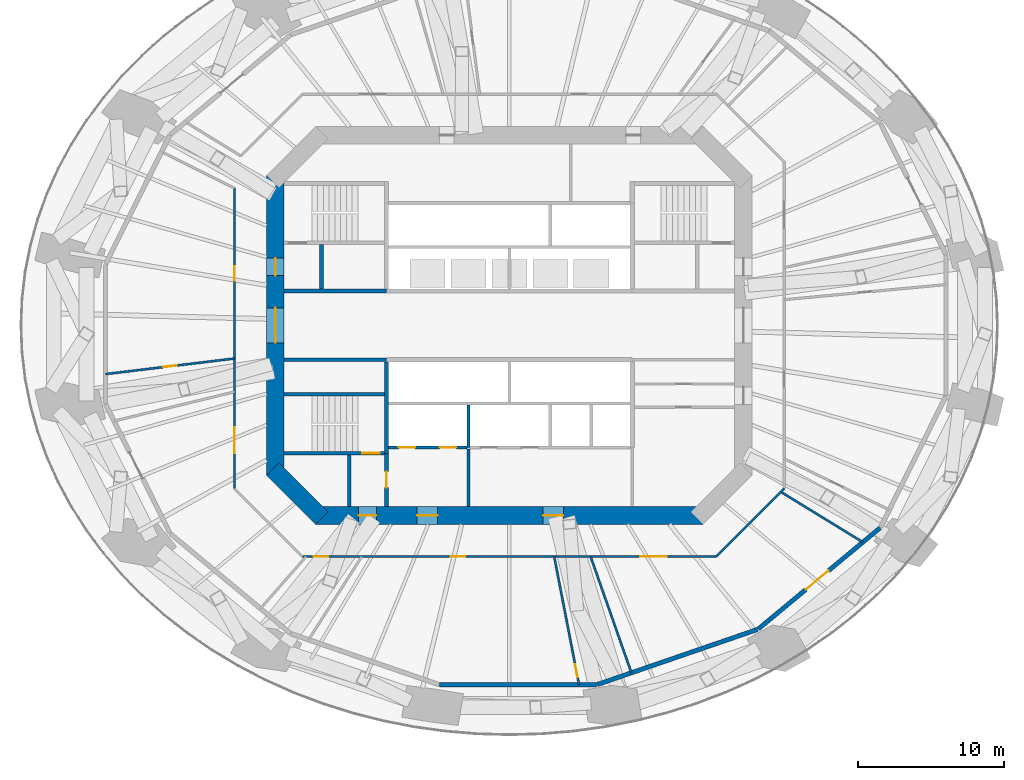
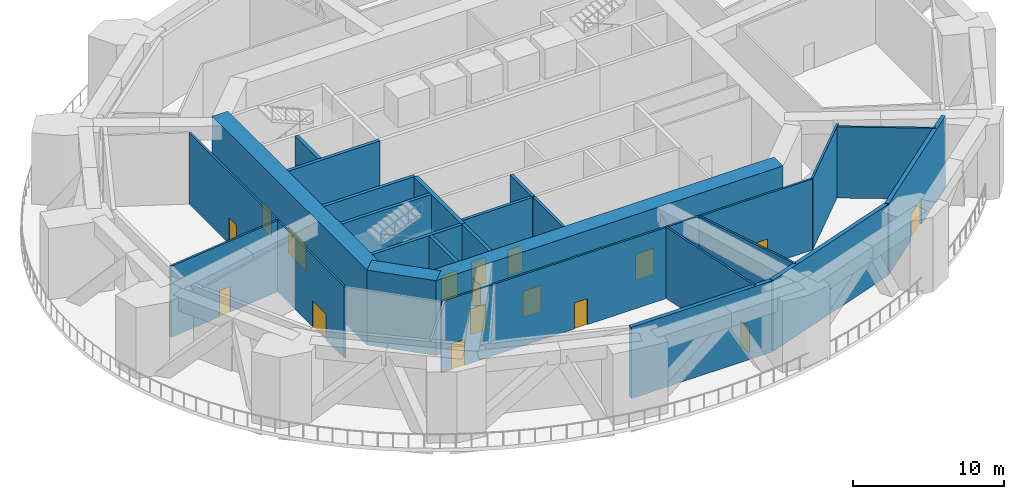
# One storey, part 5 of 12: 24 walls, 17 doors, 17 openings.
"""IFC4 building model written with IfcOpenShell, lengths in metres."""

from ifc_helpers import new_model, si_unit, direction, frame, frame_2d, origin, place, context, subcontext, project, spatial, rectangle, extrude, material, layer, layer_set, type_object, element, fill, save


model = new_model("IFC4")

# Units and contexts
model_context = context("Model", 3, precision=1e-05, world=origin(), true_north=direction((0.0, 1.0)))
body_context = subcontext(model_context, "Body", "Model", "MODEL_VIEW")
ifc_project = project(units=[si_unit("LENGTHUNIT", "METRE"), si_unit("AREAUNIT", "SQUARE_METRE"), si_unit("VOLUMEUNIT", "CUBIC_METRE"), si_unit("PLANEANGLEUNIT", "RADIAN"), si_unit("MASSUNIT", "GRAM", prefix="KILO")], contexts=[model_context])

# Site, building, storey
site_placement = place(None, origin())
site = spatial("IfcSite", under=ifc_project, at=site_placement, CompositionType="ELEMENT")
building_placement = place(site_placement, origin())
building = spatial("IfcBuilding", under=site, at=building_placement, Name="Marenthal Gate Tower", CompositionType="ELEMENT")
storey_placement = place(building_placement, frame((0.0, 0.0, 149.64990234375)))
storey = spatial("IfcBuildingStorey", under=building, at=storey_placement, Name="L32", CompositionType="ELEMENT", Elevation=149.64990234375)

# Wall, openings, doors
ifc_material_1 = material(Name="Concrete 60 MPa", Category="concrete")
ifc_layer_1 = layer(ifc_material_1, 1.199951171875)
ifc_layer_set_1 = layer_set([ifc_layer_1], Name="Core shear wall 1200")
wall_type_1 = type_object("IfcWallType", Name="Core shear wall 1200", PredefinedType="SHEAR", material=ifc_layer_set_1)
wall_1_placement = place(storey_placement, frame((-16.0, 10.24853515625, -0.2998046875), z_axis=(0.0, 0.0, 1.0), x_axis=(0.0, -1.0, 0.0)))
wall_1 = element("IfcWall", 1, at=wall_1_placement, inside=storey, type_object=wall_type_1, Name="Core wall 06", PredefinedType="SHEAR", context=body_context, shape_type="SweptSolid", body=[
    extrude(rectangle(XDim=20.4970703125, YDim=1.199951171875, at=frame_2d((10.24853515625, 0.0))), origin(), (0.0, 0.0, 1.0), 6.0498046875),
])
opening_1_placement = place(wall_1_placement, frame((9.048583984375, 0.0, 0.300048828125)))
opening_1 = element("IfcOpeningElement", 2, at=opening_1_placement, cuts=wall_1, Name="Opening D003.01", PredefinedType="OPENING", context=body_context, shape_type="SweptSolid", body=[
    extrude(rectangle(XDim=2.39990234375, YDim=2.10009765625, at=frame_2d((1.199951171875, 1.050048828125))), frame((0.0, 0.60986328125, 0.0), z_axis=(0.0, -1.0, 0.0), x_axis=(1.0, 0.0, 0.0)), (0.0, 0.0, 1.0), 1.219970703125),
])
opening_2_placement = place(wall_1_placement, frame((5.6484375, 0.0, 0.300048828125)))
opening_2 = element("IfcOpeningElement", 3, at=opening_2_placement, cuts=wall_1, Name="Opening D001.04", PredefinedType="OPENING", context=body_context, shape_type="SweptSolid", body=[
    extrude(rectangle(XDim=1.199951171875, YDim=2.10009765625, at=frame_2d((0.60009765625, 1.050048828125))), frame((0.0, 0.60986328125, 0.0), z_axis=(0.0, -1.0, 0.0), x_axis=(1.0, 0.0, 0.0)), (0.0, 0.0, 1.0), 1.219970703125),
])
ifc_material_2 = material(Name="Steel fire door", Category="steel")
door_type_1 = type_object("IfcDoorType", Name="Double fire door FD 45 2400 x 2100", OperationType="DOUBLE_DOOR_SINGLE_SWING", PredefinedType="DOOR", material=ifc_material_2)
door_1_placement = place(opening_1_placement, origin())
door_1 = element("IfcDoor", 4, at=door_1_placement, inside=storey, type_object=door_type_1, Name="Door D003.01", OperationType="DOUBLE_DOOR_SINGLE_SWING", OverallHeight=2.10009765625, OverallWidth=2.39990234375, PredefinedType="DOOR", context=body_context, shape_type="SweptSolid", body=[
    extrude(rectangle(XDim=2.39990234375, YDim=2.10009765625, at=frame_2d((1.199951171875, 1.050048828125))), frame((0.0, 0.02490234375, 0.0), z_axis=(0.0, -1.0, 0.0), x_axis=(1.0, 0.0, 0.0)), (0.0, 0.0, 1.0), 0.050048828125),
])
fill(opening_1, door_1)
ifc_material_3 = material(Name="Steel fire door", Category="steel")
door_type_2 = type_object("IfcDoorType", Name="Fire door FD 90 1200 x 2100", OperationType="NOTDEFINED", PredefinedType="DOOR", material=ifc_material_3)
door_2_placement = place(opening_2_placement, origin())
door_2 = element("IfcDoor", 5, at=door_2_placement, inside=storey, type_object=door_type_2, Name="Door D001.04", OperationType="SINGLE_SWING_RIGHT", OverallHeight=2.10009765625, OverallWidth=1.199951171875, PredefinedType="DOOR", context=body_context, shape_type="SweptSolid", body=[
    extrude(rectangle(XDim=1.199951171875, YDim=2.10009765625, at=frame_2d((0.60009765625, 1.050048828125))), frame((0.0, 0.02490234375, 0.0), z_axis=(0.0, -1.0, 0.0), x_axis=(1.0, 0.0, 0.0)), (0.0, 0.0, 1.0), 0.050048828125),
])
fill(opening_2, door_2)

# Wall
wall_2_placement = place(storey_placement, frame((-16.17578125, -9.82421875, -0.2998046875), z_axis=(0.0, 0.0, 1.0), x_axis=(0.707106781187, -0.707106781187, 0.0)))
element("IfcWall", 6, at=wall_2_placement, inside=storey, type_object=wall_type_1, Name="Core wall 07", PredefinedType="SHEAR", context=body_context, shape_type="SweptSolid", body=[
    extrude(rectangle(XDim=4.73974609375, YDim=1.199951171875, at=frame_2d((2.369873046875, 0.0))), origin(), (0.0, 0.0, 1.0), 6.0498046875),
])

# Wall, openings, doors
wall_3_placement = place(storey_placement, frame((-13.24853515625, -13.0, -0.2998046875), z_axis=(0.0, 0.0, 1.0), x_axis=(1.0, 0.0, 0.0)))
wall_3 = element("IfcWall", 7, at=wall_3_placement, inside=storey, type_object=wall_type_1, Name="Core wall 08", PredefinedType="SHEAR", context=body_context, shape_type="SweptSolid", body=[
    extrude(rectangle(XDim=26.4970703125, YDim=1.199951171875, at=frame_2d((13.24853515625, 0.0))), origin(), (0.0, 0.0, 1.0), 6.0498046875),
])
opening_3_placement = place(wall_3_placement, frame((2.948486328125, 0.0, 0.300048828125)))
opening_3 = element("IfcOpeningElement", 8, at=opening_3_placement, cuts=wall_3, Name="Opening D001.06", PredefinedType="OPENING", context=body_context, shape_type="SweptSolid", body=[
    extrude(rectangle(XDim=1.199951171875, YDim=2.10009765625, at=frame_2d((0.60009765625, 1.050048828125))), frame((0.0, 0.60986328125, 0.0), z_axis=(0.0, -1.0, 0.0), x_axis=(1.0, 0.0, 0.0)), (0.0, 0.0, 1.0), 1.219970703125),
])
opening_4_placement = place(wall_3_placement, frame((6.948486328125, 0.0, 0.300048828125)))
opening_4 = element("IfcOpeningElement", 9, at=opening_4_placement, cuts=wall_3, Name="Opening D004.01", PredefinedType="OPENING", context=body_context, shape_type="SweptSolid", body=[
    extrude(rectangle(XDim=1.39990234375, YDim=2.10009765625, at=frame_2d((0.699951171875, 1.050048828125))), frame((0.0, 0.60986328125, 0.0), z_axis=(0.0, -1.0, 0.0), x_axis=(1.0, 0.0, 0.0)), (0.0, 0.0, 1.0), 1.219970703125),
])
opening_5_placement = place(wall_3_placement, frame((15.548583984375, 0.0, 0.300048828125)))
opening_5 = element("IfcOpeningElement", 10, at=opening_5_placement, cuts=wall_3, Name="Opening D004.02", PredefinedType="OPENING", context=body_context, shape_type="SweptSolid", body=[
    extrude(rectangle(XDim=1.39990234375, YDim=2.10009765625, at=frame_2d((0.699951171875, 1.050048828125))), frame((0.0, 0.60986328125, 0.0), z_axis=(0.0, -1.0, 0.0), x_axis=(1.0, 0.0, 0.0)), (0.0, 0.0, 1.0), 1.219970703125),
])
ifc_material_4 = material(Name="Steel fire door", Category="steel")
door_type_3 = type_object("IfcDoorType", Name="Fire door FD 45 1400 x 2100", OperationType="NOTDEFINED", PredefinedType="DOOR", material=ifc_material_4)
door_3_placement = place(opening_4_placement, origin())
door_3 = element("IfcDoor", 11, at=door_3_placement, inside=storey, type_object=door_type_3, Name="Door D004.01", OperationType="SINGLE_SWING_RIGHT", OverallHeight=2.10009765625, OverallWidth=1.39990234375, PredefinedType="DOOR", context=body_context, shape_type="SweptSolid", body=[
    extrude(rectangle(XDim=1.39990234375, YDim=2.10009765625, at=frame_2d((0.699951171875, 1.050048828125))), frame((0.0, 0.02490234375, 0.0), z_axis=(0.0, -1.0, 0.0), x_axis=(1.0, 0.0, 0.0)), (0.0, 0.0, 1.0), 0.050048828125),
])
fill(opening_4, door_3)
door_4_placement = place(opening_5_placement, origin())
door_4 = element("IfcDoor", 12, at=door_4_placement, inside=storey, type_object=door_type_3, Name="Door D004.02", OperationType="SINGLE_SWING_RIGHT", OverallHeight=2.10009765625, OverallWidth=1.39990234375, PredefinedType="DOOR", context=body_context, shape_type="SweptSolid", body=[
    extrude(rectangle(XDim=1.39990234375, YDim=2.10009765625, at=frame_2d((0.699951171875, 1.050048828125))), frame((0.0, 0.02490234375, 0.0), z_axis=(0.0, -1.0, 0.0), x_axis=(1.0, 0.0, 0.0)), (0.0, 0.0, 1.0), 0.050048828125),
])
fill(opening_5, door_4)
door_5_placement = place(opening_3_placement, origin())
door_5 = element("IfcDoor", 13, at=door_5_placement, inside=storey, type_object=door_type_2, Name="Door D001.06", OperationType="SINGLE_SWING_RIGHT", OverallHeight=2.10009765625, OverallWidth=1.199951171875, PredefinedType="DOOR", context=body_context, shape_type="SweptSolid", body=[
    extrude(rectangle(XDim=1.199951171875, YDim=2.10009765625, at=frame_2d((0.60009765625, 1.050048828125))), frame((0.0, 0.02490234375, 0.0), z_axis=(0.0, -1.0, 0.0), x_axis=(1.0, 0.0, 0.0)), (0.0, 0.0, 1.0), 0.050048828125),
])
fill(opening_3, door_5)

# Walls
ifc_material_5 = material(Name="Concrete 40 MPa", Category="concrete")
ifc_layer_2 = layer(ifc_material_5, 0.300048828125)
ifc_layer_set_2 = layer_set([ifc_layer_2], Name="External wall 300")
wall_type_2 = type_object("IfcWallType", Name="External wall 300", PredefinedType="STANDARD", material=ifc_layer_set_2)
wall_4_placement = place(storey_placement, frame((-4.77099609375, -24.5703125, 0.0), z_axis=(0.0, 0.0, 1.0), x_axis=(1.0, 0.0, 0.0)))
element("IfcWall", 14, at=wall_4_placement, inside=storey, type_object=wall_type_2, Name="External wall 47", PredefinedType="STANDARD", context=body_context, shape_type="SweptSolid", body=[
    extrude(rectangle(XDim=10.72509765625, YDim=0.300048828125, at=frame_2d((5.362548828125, 0.0))), origin(), (0.0, 0.0, 1.0), 5.75),
])
wall_5_placement = place(storey_placement, frame((6.0029296875, -24.56201171875, 0.0), z_axis=(0.0, 0.0, 1.0), x_axis=(0.945615608721, 0.325286213269, 0.0)))
element("IfcWall", 15, at=wall_5_placement, inside=storey, type_object=wall_type_2, Name="External wall 49", PredefinedType="STANDARD", context=body_context, shape_type="SweptSolid", body=[
    extrude(rectangle(XDim=11.600341796875, YDim=0.300048828125, at=frame_2d((5.80029296875, 0.0))), origin(), (0.0, 0.0, 1.0), 5.75),
])

# Wall, opening, door
wall_6_placement = place(storey_placement, frame((17.019287109375, -20.76220703125, 0.0), z_axis=(0.0, 0.0, 1.0), x_axis=(0.769320538935, 0.638862980906, 0.0)))
wall_6 = element("IfcWall", 16, at=wall_6_placement, inside=storey, type_object=wall_type_2, Name="External wall 51", PredefinedType="STANDARD", context=body_context, shape_type="SweptSolid", body=[
    extrude(rectangle(XDim=10.820556640625, YDim=0.300048828125, at=frame_2d((5.41015625, 0.0))), origin(), (0.0, 0.0, 1.0), 5.75),
])
opening_6_placement = place(wall_6_placement, frame((4.232666015625, 0.0, 0.0)))
opening_6 = element("IfcOpeningElement", 17, at=opening_6_placement, cuts=wall_6, Name="Opening D018.04", PredefinedType="OPENING", context=body_context, shape_type="SweptSolid", body=[
    extrude(rectangle(XDim=2.0, YDim=2.10009765625, at=frame_2d((1.0, 1.050048828125))), frame((0.0, 0.16015625, 0.0), z_axis=(0.0, -1.0, 0.0), x_axis=(1.0, 0.0, 0.0)), (0.0, 0.0, 1.0), 0.320068359375),
])
ifc_material_6 = material(Name="Steel fire door", Category="steel")
door_type_4 = type_object("IfcDoorType", Name="Double fire door FD 45 2000 x 2100", OperationType="DOUBLE_DOOR_SINGLE_SWING", PredefinedType="DOOR", material=ifc_material_6)
door_6_placement = place(opening_6_placement, frame((2.0, 0.0, 0.0), z_axis=(0.0, 0.0, 1.0), x_axis=(-1.0, 0.0, 0.0)))
door_6 = element("IfcDoor", 18, at=door_6_placement, inside=storey, type_object=door_type_4, Name="Door D018.04", OperationType="DOUBLE_DOOR_SINGLE_SWING", OverallHeight=2.10009765625, OverallWidth=2.0, PredefinedType="DOOR", context=body_context, shape_type="SweptSolid", body=[
    extrude(rectangle(XDim=2.0, YDim=2.10009765625, at=frame_2d((1.0, 1.050048828125))), frame((0.0, 0.02490234375, 0.0), z_axis=(0.0, -1.0, 0.0), x_axis=(1.0, 0.0, 0.0)), (0.0, 0.0, 1.0), 0.050048828125),
])
fill(opening_6, door_6)

# Walls
ifc_material_7 = material(Name="Gypsum board on steel studs", Category="steel")
ifc_layer_3 = layer(ifc_material_7, 0.199951171875)
ifc_layer_set_3 = layer_set([ifc_layer_3], Name="Fire lobby wall 200")
wall_type_3 = type_object("IfcWallType", Name="Fire lobby wall 200", PredefinedType="PARTITIONING", material=ifc_layer_set_3)
wall_7_placement = place(storey_placement, frame((-2.800048828125, -12.39990234375, 0.0), z_axis=(0.0, 0.0, 1.0), x_axis=(0.0, 1.0, 0.0)))
element("IfcWall", 19, at=wall_7_placement, inside=storey, type_object=wall_type_3, Name="Fire wall 34", PredefinedType="PARTITIONING", context=body_context, shape_type="SweptSolid", body=[
    extrude(rectangle(XDim=3.93994140625, YDim=0.199951171875, at=frame_2d((1.969970703125, 0.0))), origin(), (0.0, 0.0, 1.0), 5.75),
])
ifc_material_8 = material(Name="Concrete 50 MPa", Category="concrete")
ifc_layer_4 = layer(ifc_material_8, 0.300048828125)
ifc_layer_set_4 = layer_set([ifc_layer_4], Name="Hoistway shear wall 300")
wall_type_4 = type_object("IfcWallType", Name="Hoistway shear wall 300", PredefinedType="SHEAR", material=ifc_layer_set_4)
wall_8_placement = place(storey_placement, frame((-8.39990234375, -8.75, -0.2998046875), z_axis=(0.0, 0.0, 1.0), x_axis=(0.0, 1.0, 0.0)))
element("IfcWall", 20, at=wall_8_placement, inside=storey, type_object=wall_type_4, Name="Hoistway wall 31", PredefinedType="SHEAR", context=body_context, shape_type="SweptSolid", body=[
    extrude(rectangle(XDim=6.25, YDim=0.300048828125, at=frame_2d((3.125, 0.0))), origin(), (0.0, 0.0, 1.0), 6.0498046875),
])

# Wall, openings, doors
ifc_material_9 = material(Name="Concrete 40 MPa", Category="concrete")
ifc_layer_5 = layer(ifc_material_9, 0.219970703125)
ifc_layer_set_5 = layer_set([ifc_layer_5], Name="Hoistway wall 220")
wall_type_5 = type_object("IfcWallType", Name="Hoistway wall 220", PredefinedType="STANDARD", material=ifc_layer_set_5)
wall_9_placement = place(storey_placement, frame((-8.25, -8.35009765625, 0.0), z_axis=(0.0, 0.0, 1.0), x_axis=(1.0, 0.0, 0.0)))
wall_9 = element("IfcWall", 21, at=wall_9_placement, inside=storey, type_object=wall_type_5, Name="Hoistway wall 10", PredefinedType="STANDARD", context=body_context, shape_type="SweptSolid", body=[
    extrude(rectangle(XDim=5.340087890625, YDim=0.219970703125, at=frame_2d((2.669921875, 0.0))), origin(), (0.0, 0.0, 1.0), 5.75),
])
opening_7_placement = place(wall_9_placement, frame((0.699951171875, 0.0, 0.0)))
opening_7 = element("IfcOpeningElement", 22, at=opening_7_placement, cuts=wall_9, Name="Opening LD-LF1", PredefinedType="OPENING", context=body_context, shape_type="SweptSolid", body=[
    extrude(rectangle(XDim=1.10009765625, YDim=2.10009765625, at=frame_2d((0.550048828125, 1.050048828125))), frame((0.0, 0.1201171875, 0.0), z_axis=(0.0, -1.0, 0.0), x_axis=(1.0, 0.0, 0.0)), (0.0, 0.0, 1.0), 0.239990234375),
])
opening_8_placement = place(wall_9_placement, frame((3.5, 0.0, 0.0)))
opening_8 = element("IfcOpeningElement", 23, at=opening_8_placement, cuts=wall_9, Name="Opening LD-LF2", PredefinedType="OPENING", context=body_context, shape_type="SweptSolid", body=[
    extrude(rectangle(XDim=1.10009765625, YDim=2.10009765625, at=frame_2d((0.550048828125, 1.050048828125))), frame((0.0, 0.1201171875, 0.0), z_axis=(0.0, -1.0, 0.0), x_axis=(1.0, 0.0, 0.0)), (0.0, 0.0, 1.0), 0.239990234375),
])
ifc_material_10 = material(Name="Stainless steel sliding door", Category="steel")
door_type_5 = type_object("IfcDoorType", Name="Lift landing door FD 90 1100 x 2100", OperationType="DOUBLE_DOOR_SLIDING", PredefinedType="DOOR", material=ifc_material_10)
door_7_placement = place(opening_7_placement, origin())
door_7 = element("IfcDoor", 24, at=door_7_placement, inside=storey, type_object=door_type_5, Name="Lift landing door LF1", OperationType="DOUBLE_DOOR_SLIDING", OverallHeight=2.10009765625, OverallWidth=1.10009765625, PredefinedType="DOOR", context=body_context, shape_type="SweptSolid", body=[
    extrude(rectangle(XDim=1.10009765625, YDim=2.10009765625, at=frame_2d((0.550048828125, 1.050048828125))), frame((0.0, 0.02490234375, 0.0), z_axis=(0.0, -1.0, 0.0), x_axis=(1.0, 0.0, 0.0)), (0.0, 0.0, 1.0), 0.050048828125),
])
fill(opening_7, door_7)
door_8_placement = place(opening_8_placement, origin())
door_8 = element("IfcDoor", 25, at=door_8_placement, inside=storey, type_object=door_type_5, Name="Lift landing door LF2", OperationType="DOUBLE_DOOR_SLIDING", OverallHeight=2.10009765625, OverallWidth=1.10009765625, PredefinedType="DOOR", context=body_context, shape_type="SweptSolid", body=[
    extrude(rectangle(XDim=1.10009765625, YDim=2.10009765625, at=frame_2d((0.550048828125, 1.050048828125))), frame((0.0, 0.02490234375, 0.0), z_axis=(0.0, -1.0, 0.0), x_axis=(1.0, 0.0, 0.0)), (0.0, 0.0, 1.0), 0.050048828125),
])
fill(opening_8, door_8)

# Wall
wall_10_placement = place(storey_placement, frame((-2.800048828125, -8.35009765625, 0.0), z_axis=(0.0, 0.0, 1.0), x_axis=(0.0, 1.0, 0.0)))
element("IfcWall", 26, at=wall_10_placement, inside=storey, type_object=wall_type_5, Name="Hoistway wall 35", PredefinedType="STANDARD", context=body_context, shape_type="SweptSolid", body=[
    extrude(rectangle(XDim=2.89013671875, YDim=0.219970703125, at=frame_2d((1.445068359375, 0.0))), origin(), (0.0, 0.0, 1.0), 5.75),
])

# Wall, openings, doors
ifc_material_11 = material(Name="Gypsum board on steel studs", Category="steel")
ifc_layer_6 = layer(ifc_material_11, 0.14990234375)
ifc_layer_set_6 = layer_set([ifc_layer_6], Name="Partition 150")
wall_type_6 = type_object("IfcWallType", Name="Partition 150", PredefinedType="PARTITIONING", material=ifc_layer_set_6)
wall_11_placement = place(storey_placement, frame((-14.159912109375, -15.800048828125, 0.0), z_axis=(0.0, 0.0, 1.0), x_axis=(1.0, 0.0, 0.0)))
wall_11 = element("IfcWall", 27, at=wall_11_placement, inside=storey, type_object=wall_type_6, Name="Partition wall 65", PredefinedType="PARTITIONING", context=body_context, shape_type="SweptSolid", body=[
    extrude(rectangle(XDim=28.31982421875, YDim=0.14990234375, at=frame_2d((14.159912109375, 0.0))), origin(), (0.0, 0.0, 1.0), 5.75),
])
opening_9_placement = place(wall_11_placement, frame((0.77001953125, 0.0, 0.0)))
opening_9 = element("IfcOpeningElement", 28, at=opening_9_placement, cuts=wall_11, Name="Opening D005.07", PredefinedType="OPENING", context=body_context, shape_type="SweptSolid", body=[
    extrude(rectangle(XDim=1.0, YDim=2.10009765625, at=frame_2d((0.5, 1.050048828125))), frame((0.0, 0.0849609375, 0.0), z_axis=(0.0, -1.0, 0.0), x_axis=(1.0, 0.0, 0.0)), (0.0, 0.0, 1.0), 0.169921875),
])
opening_10_placement = place(wall_11_placement, frame((10.146240234375, 0.0, 0.0)))
opening_10 = element("IfcOpeningElement", 29, at=opening_10_placement, cuts=wall_11, Name="Opening D005.08", PredefinedType="OPENING", context=body_context, shape_type="SweptSolid", body=[
    extrude(rectangle(XDim=1.0, YDim=2.10009765625, at=frame_2d((0.5, 1.050048828125))), frame((0.0, 0.0849609375, 0.0), z_axis=(0.0, -1.0, 0.0), x_axis=(1.0, 0.0, 0.0)), (0.0, 0.0, 1.0), 0.169921875),
])
opening_11_placement = place(wall_11_placement, frame((23.114501953125, 0.0, 0.0)))
opening_11 = element("IfcOpeningElement", 30, at=opening_11_placement, cuts=wall_11, Name="Opening D007.04", PredefinedType="OPENING", context=body_context, shape_type="SweptSolid", body=[
    extrude(rectangle(XDim=1.800048828125, YDim=2.10009765625, at=frame_2d((0.89990234375, 1.050048828125))), frame((0.0, 0.0849609375, 0.0), z_axis=(0.0, -1.0, 0.0), x_axis=(1.0, 0.0, 0.0)), (0.0, 0.0, 1.0), 0.169921875),
])
ifc_material_12 = material(Name="Steel fire door", Category="steel")
door_type_6 = type_object("IfcDoorType", Name="Double fire door FD 45 1800 x 2100", OperationType="DOUBLE_DOOR_SINGLE_SWING", PredefinedType="DOOR", material=ifc_material_12)
door_9_placement = place(opening_11_placement, origin())
door_9 = element("IfcDoor", 31, at=door_9_placement, inside=storey, type_object=door_type_6, Name="Door D007.04", OperationType="DOUBLE_DOOR_SINGLE_SWING", OverallHeight=2.10009765625, OverallWidth=1.800048828125, PredefinedType="DOOR", context=body_context, shape_type="SweptSolid", body=[
    extrude(rectangle(XDim=1.800048828125, YDim=2.10009765625, at=frame_2d((0.89990234375, 1.050048828125))), frame((0.0, 0.02490234375, 0.0), z_axis=(0.0, -1.0, 0.0), x_axis=(1.0, 0.0, 0.0)), (0.0, 0.0, 1.0), 0.050048828125),
])
fill(opening_11, door_9)
ifc_material_13 = material(Name="Steel fire door", Category="steel")
door_type_7 = type_object("IfcDoorType", Name="Fire door FD 45 1000 x 2100", OperationType="NOTDEFINED", PredefinedType="DOOR", material=ifc_material_13)
door_10_placement = place(opening_9_placement, frame((1.0, 0.0, 0.0), z_axis=(0.0, 0.0, 1.0), x_axis=(-1.0, 0.0, 0.0)))
door_10 = element("IfcDoor", 32, at=door_10_placement, inside=storey, type_object=door_type_7, Name="Door D005.07", OperationType="SINGLE_SWING_LEFT", OverallHeight=2.10009765625, OverallWidth=1.0, PredefinedType="DOOR", context=body_context, shape_type="SweptSolid", body=[
    extrude(rectangle(XDim=1.0, YDim=2.10009765625, at=frame_2d((0.5, 1.050048828125))), frame((0.0, 0.02490234375, 0.0), z_axis=(0.0, -1.0, 0.0), x_axis=(1.0, 0.0, 0.0)), (0.0, 0.0, 1.0), 0.050048828125),
])
fill(opening_9, door_10)
door_11_placement = place(opening_10_placement, frame((1.0, 0.0, 0.0), z_axis=(0.0, 0.0, 1.0), x_axis=(-1.0, 0.0, 0.0)))
door_11 = element("IfcDoor", 33, at=door_11_placement, inside=storey, type_object=door_type_7, Name="Door D005.08", OperationType="SINGLE_SWING_LEFT", OverallHeight=2.10009765625, OverallWidth=1.0, PredefinedType="DOOR", context=body_context, shape_type="SweptSolid", body=[
    extrude(rectangle(XDim=1.0, YDim=2.10009765625, at=frame_2d((0.5, 1.050048828125))), frame((0.0, 0.02490234375, 0.0), z_axis=(0.0, -1.0, 0.0), x_axis=(1.0, 0.0, 0.0)), (0.0, 0.0, 1.0), 0.050048828125),
])
fill(opening_10, door_11)

# Wall, opening, door
wall_12_placement = place(storey_placement, frame((-27.6171875, -3.332275390625, 0.0), z_axis=(0.0, 0.0, 1.0), x_axis=(0.992797924458, 0.11980100664, 0.0)))
wall_12 = element("IfcWall", 34, at=wall_12_placement, inside=storey, type_object=wall_type_6, Name="Partition wall 68", PredefinedType="PARTITIONING", context=body_context, shape_type="SweptSolid", body=[
    extrude(rectangle(XDim=8.881103515625, YDim=0.14990234375, at=frame_2d((4.4404296875, 0.0))), origin(), (0.0, 0.0, 1.0), 5.75),
])
opening_12_placement = place(wall_12_placement, frame((3.990478515625, 0.0, 0.0)))
opening_12 = element("IfcOpeningElement", 35, at=opening_12_placement, cuts=wall_12, Name="Opening D010.04", PredefinedType="OPENING", context=body_context, shape_type="SweptSolid", body=[
    extrude(rectangle(XDim=0.89990234375, YDim=2.10009765625, at=frame_2d((0.449951171875, 1.050048828125))), frame((0.0, 0.0849609375, 0.0), z_axis=(0.0, -1.0, 0.0), x_axis=(1.0, 0.0, 0.0)), (0.0, 0.0, 1.0), 0.169921875),
])
ifc_material_14 = material(Name="Steel fire door", Category="steel")
door_type_8 = type_object("IfcDoorType", Name="Fire door FD 45 900 x 2100", OperationType="NOTDEFINED", PredefinedType="DOOR", material=ifc_material_14)
door_12_placement = place(opening_12_placement, frame((0.89990234375, 0.0, 0.0), z_axis=(0.0, 0.0, 1.0), x_axis=(-1.0, 0.0, 0.0)))
door_12 = element("IfcDoor", 36, at=door_12_placement, inside=storey, type_object=door_type_8, Name="Door D010.04", OperationType="SINGLE_SWING_LEFT", OverallHeight=2.10009765625, OverallWidth=0.89990234375, PredefinedType="DOOR", context=body_context, shape_type="SweptSolid", body=[
    extrude(rectangle(XDim=0.89990234375, YDim=2.10009765625, at=frame_2d((0.449951171875, 1.050048828125))), frame((0.0, 0.02490234375, 0.0), z_axis=(0.0, -1.0, 0.0), x_axis=(1.0, 0.0, 0.0)), (0.0, 0.0, 1.0), 0.050048828125),
])
fill(opening_12, door_12)

# Wall
wall_13_placement = place(storey_placement, frame((14.159912109375, -15.800048828125, 0.0), z_axis=(0.0, 0.0, 1.0), x_axis=(0.707106781187, 0.707106781187, 0.0)))
element("IfcWall", 37, at=wall_13_placement, inside=storey, type_object=wall_type_6, Name="Partition wall 71", PredefinedType="PARTITIONING", context=body_context, shape_type="SweptSolid", body=[
    extrude(rectangle(XDim=6.562255859375, YDim=0.14990234375, at=frame_2d((3.28125, 0.0))), origin(), (0.0, 0.0, 1.0), 5.75),
])

# Wall, openings, doors
wall_14_placement = place(storey_placement, frame((-18.800048828125, -11.159912109375, 0.0), z_axis=(0.0, 0.0, 1.0), x_axis=(0.0, 1.0, 0.0)))
wall_14 = element("IfcWall", 38, at=wall_14_placement, inside=storey, type_object=wall_type_6, Name="Partition wall 78", PredefinedType="PARTITIONING", context=body_context, shape_type="SweptSolid", body=[
    extrude(rectangle(XDim=20.543701171875, YDim=0.14990234375, at=frame_2d((10.27197265625, 0.0))), origin(), (0.0, 0.0, 1.0), 5.75),
])
opening_13_placement = place(wall_14_placement, frame((14.217529296875, 0.0, 0.0)))
opening_13 = element("IfcOpeningElement", 39, at=opening_13_placement, cuts=wall_14, Name="Opening D005.06", PredefinedType="OPENING", context=body_context, shape_type="SweptSolid", body=[
    extrude(rectangle(XDim=1.0, YDim=2.10009765625, at=frame_2d((0.5, 1.050048828125))), frame((0.0, 0.0849609375, 0.0), z_axis=(0.0, -1.0, 0.0), x_axis=(1.0, 0.0, 0.0)), (0.0, 0.0, 1.0), 0.169921875),
])
opening_14_placement = place(wall_14_placement, frame((2.405517578125, 0.0, 0.0)))
opening_14 = element("IfcOpeningElement", 40, at=opening_14_placement, cuts=wall_14, Name="Opening D007.03", PredefinedType="OPENING", context=body_context, shape_type="SweptSolid", body=[
    extrude(rectangle(XDim=1.800048828125, YDim=2.10009765625, at=frame_2d((0.89990234375, 1.050048828125))), frame((0.0, 0.0849609375, 0.0), z_axis=(0.0, -1.0, 0.0), x_axis=(1.0, 0.0, 0.0)), (0.0, 0.0, 1.0), 0.169921875),
])
door_13_placement = place(opening_14_placement, origin())
door_13 = element("IfcDoor", 41, at=door_13_placement, inside=storey, type_object=door_type_6, Name="Door D007.03", OperationType="DOUBLE_DOOR_SINGLE_SWING", OverallHeight=2.10009765625, OverallWidth=1.800048828125, PredefinedType="DOOR", context=body_context, shape_type="SweptSolid", body=[
    extrude(rectangle(XDim=1.800048828125, YDim=2.10009765625, at=frame_2d((0.89990234375, 1.050048828125))), frame((0.0, 0.02490234375, 0.0), z_axis=(0.0, -1.0, 0.0), x_axis=(1.0, 0.0, 0.0)), (0.0, 0.0, 1.0), 0.050048828125),
])
fill(opening_14, door_13)
door_14_placement = place(opening_13_placement, origin())
door_14 = element("IfcDoor", 42, at=door_14_placement, inside=storey, type_object=door_type_7, Name="Door D005.06", OperationType="SINGLE_SWING_RIGHT", OverallHeight=2.10009765625, OverallWidth=1.0, PredefinedType="DOOR", context=body_context, shape_type="SweptSolid", body=[
    extrude(rectangle(XDim=1.0, YDim=2.10009765625, at=frame_2d((0.5, 1.050048828125))), frame((0.0, 0.02490234375, 0.0), z_axis=(0.0, -1.0, 0.0), x_axis=(1.0, 0.0, 0.0)), (0.0, 0.0, 1.0), 0.050048828125),
])
fill(opening_13, door_14)

# Wall, opening, door
wall_15_placement = place(storey_placement, frame((4.7626953125, -24.5703125, 0.0), z_axis=(0.0, 0.0, 1.0), x_axis=(-0.190315905917, 0.981722901818, 0.0)))
wall_15 = element("IfcWall", 43, at=wall_15_placement, inside=storey, type_object=wall_type_6, Name="Partition wall 80", PredefinedType="PARTITIONING", context=body_context, shape_type="SweptSolid", body=[
    extrude(rectangle(XDim=8.93359375, YDim=0.14990234375, at=frame_2d((4.466796875, 0.0))), origin(), (0.0, 0.0, 1.0), 5.75),
])
opening_15_placement = place(wall_15_placement, frame((0.5166015625, 0.0, 0.0)))
opening_15 = element("IfcOpeningElement", 44, at=opening_15_placement, cuts=wall_15, Name="Opening D010.05", PredefinedType="OPENING", context=body_context, shape_type="SweptSolid", body=[
    extrude(rectangle(XDim=0.89990234375, YDim=2.10009765625, at=frame_2d((0.449951171875, 1.050048828125))), frame((0.0, 0.0849609375, 0.0), z_axis=(0.0, -1.0, 0.0), x_axis=(1.0, 0.0, 0.0)), (0.0, 0.0, 1.0), 0.169921875),
])
door_15_placement = place(opening_15_placement, frame((0.89990234375, 0.0, 0.0), z_axis=(0.0, 0.0, 1.0), x_axis=(-1.0, 0.0, 0.0)))
door_15 = element("IfcDoor", 45, at=door_15_placement, inside=storey, type_object=door_type_8, Name="Door D010.05", OperationType="SINGLE_SWING_LEFT", OverallHeight=2.10009765625, OverallWidth=0.89990234375, PredefinedType="DOOR", context=body_context, shape_type="SweptSolid", body=[
    extrude(rectangle(XDim=0.89990234375, YDim=2.10009765625, at=frame_2d((0.449951171875, 1.050048828125))), frame((0.0, 0.02490234375, 0.0), z_axis=(0.0, -1.0, 0.0), x_axis=(1.0, 0.0, 0.0)), (0.0, 0.0, 1.0), 0.050048828125),
])
fill(opening_15, door_15)

# Walls
wall_16_placement = place(storey_placement, frame((8.343994140625, -23.756591796875, 0.0), z_axis=(0.0, 0.0, 1.0), x_axis=(-0.331394756539, 0.943492191456, 0.0)))
element("IfcWall", 46, at=wall_16_placement, inside=storey, type_object=wall_type_6, Name="Partition wall 82", PredefinedType="PARTITIONING", context=body_context, shape_type="SweptSolid", body=[
    extrude(rectangle(XDim=8.43310546875, YDim=0.14990234375, at=frame_2d((4.216552734375, 0.0))), origin(), (0.0, 0.0, 1.0), 5.75),
])
wall_17_placement = place(storey_placement, frame((24.16845703125, -14.8251953125, 0.0), z_axis=(0.0, 0.0, 1.0), x_axis=(-0.852417981167, 0.522860961808, 0.0)))
element("IfcWall", 47, at=wall_17_placement, inside=storey, type_object=wall_type_6, Name="Partition wall 86", PredefinedType="PARTITIONING", context=body_context, shape_type="SweptSolid", body=[
    extrude(rectangle(XDim=6.56884765625, YDim=0.14990234375, at=frame_2d((3.284423828125, 0.0))), origin(), (0.0, 0.0, 1.0), 5.75),
])
ifc_material_15 = material(Name="Concrete 40 MPa", Category="concrete")
ifc_layer_7 = layer(ifc_material_15, 0.25)
ifc_layer_set_7 = layer_set([ifc_layer_7], Name="Stair enclosure wall 250")
wall_type_7 = type_object("IfcWallType", Name="Stair enclosure wall 250", PredefinedType="STANDARD", material=ifc_layer_set_7)
for number, where, z_axis, x_axis, name in (
    (48, (-15.39990234375, -2.35009765625, 0.0), (0.0, 0.0, 1.0), (1.0, 0.0, 0.0), "Stair wall 16"),
    (49, (-15.39990234375, 2.35009765625, 0.0), (0.0, 0.0, 1.0), (1.0, 0.0, 0.0), "Stair wall 19"),
):
    element("IfcWall", number, at=place(storey_placement, frame(where, z_axis=z_axis, x_axis=x_axis)), inside=storey, type_object=wall_type_7, Name=name, PredefinedType="STANDARD", context=body_context, shape_type="SweptSolid", body=[
        extrude(rectangle(XDim=7.0, YDim=0.25, at=frame_2d((3.5, 0.0))), origin(), (0.0, 0.0, 1.0), 5.75),
    ])
wall_18_placement = place(storey_placement, frame((-12.85009765625, 2.47509765625, 0.0), z_axis=(0.0, 0.0, 1.0), x_axis=(0.0, 1.0, 0.0)))
element("IfcWall", 50, at=wall_18_placement, inside=storey, type_object=wall_type_7, Name="Stair wall 28", PredefinedType="STANDARD", context=body_context, shape_type="SweptSolid", body=[
    extrude(rectangle(XDim=3.0498046875, YDim=0.25, at=frame_2d((1.52490234375, 0.0))), origin(), (0.0, 0.0, 1.0), 5.75),
])
wall_19_placement = place(storey_placement, frame((-10.949951171875, -12.39990234375, 0.0), z_axis=(0.0, 0.0, 1.0), x_axis=(0.0, 1.0, 0.0)))
element("IfcWall", 51, at=wall_19_placement, inside=storey, type_object=wall_type_7, Name="Stair wall 29", PredefinedType="STANDARD", context=body_context, shape_type="SweptSolid", body=[
    extrude(rectangle(XDim=3.52490234375, YDim=0.25, at=frame_2d((1.762451171875, 0.0))), origin(), (0.0, 0.0, 1.0), 5.75),
])

# Wall, opening, door
wall_20_placement = place(storey_placement, frame((-8.39990234375, -12.39990234375, 0.0), z_axis=(0.0, 0.0, 1.0), x_axis=(0.0, 1.0, 0.0)))
wall_20 = element("IfcWall", 52, at=wall_20_placement, inside=storey, type_object=wall_type_7, Name="Stair wall 30", PredefinedType="STANDARD", context=body_context, shape_type="SweptSolid", body=[
    extrude(rectangle(XDim=3.64990234375, YDim=0.25, at=frame_2d((1.824951171875, 0.0))), origin(), (0.0, 0.0, 1.0), 5.75),
])
opening_16_placement = place(wall_20_placement, frame((1.300048828125, 0.0, 0.0)))
opening_16 = element("IfcOpeningElement", 53, at=opening_16_placement, cuts=wall_20, Name="Opening D002.01", PredefinedType="OPENING", context=body_context, shape_type="SweptSolid", body=[
    extrude(rectangle(XDim=1.10009765625, YDim=2.10009765625, at=frame_2d((0.550048828125, 1.050048828125))), frame((0.0, 0.135009765625, 0.0), z_axis=(0.0, -1.0, 0.0), x_axis=(1.0, 0.0, 0.0)), (0.0, 0.0, 1.0), 0.27001953125),
])
ifc_material_16 = material(Name="Steel fire door", Category="steel")
door_type_9 = type_object("IfcDoorType", Name="Fire door FD 90 1100 x 2100", OperationType="NOTDEFINED", PredefinedType="DOOR", material=ifc_material_16)
door_16_placement = place(opening_16_placement, origin())
door_16 = element("IfcDoor", 54, at=door_16_placement, inside=storey, type_object=door_type_9, Name="Door D002.01", OperationType="SINGLE_SWING_RIGHT", OverallHeight=2.10009765625, OverallWidth=1.10009765625, PredefinedType="DOOR", context=body_context, shape_type="SweptSolid", body=[
    extrude(rectangle(XDim=1.10009765625, YDim=2.10009765625, at=frame_2d((0.550048828125, 1.050048828125))), frame((0.0, 0.02490234375, 0.0), z_axis=(0.0, -1.0, 0.0), x_axis=(1.0, 0.0, 0.0)), (0.0, 0.0, 1.0), 0.050048828125),
])
fill(opening_16, door_16)

ifc_material_17 = material(Name="Concrete 50 MPa", Category="concrete")
ifc_layer_8 = layer(ifc_material_17, 0.25)
ifc_layer_set_8 = layer_set([ifc_layer_8], Name="Stair shear wall 250")
wall_type_8 = type_object("IfcWallType", Name="Stair shear wall 250", PredefinedType="SHEAR", material=ifc_layer_set_8)
wall_21_placement = place(storey_placement, frame((-15.39990234375, -8.75, -0.2998046875), z_axis=(0.0, 0.0, 1.0), x_axis=(1.0, 0.0, 0.0)))
wall_21 = element("IfcWall", 55, at=wall_21_placement, inside=storey, type_object=wall_type_8, Name="Stair wall 09", PredefinedType="SHEAR", context=body_context, shape_type="SweptSolid", body=[
    extrude(rectangle(XDim=6.849853515625, YDim=0.25, at=frame_2d((3.4248046875, 0.0))), origin(), (0.0, 0.0, 1.0), 6.0498046875),
])
opening_17_placement = place(wall_21_placement, frame((5.35009765625, 0.0, 0.300048828125)))
opening_17 = element("IfcOpeningElement", 56, at=opening_17_placement, cuts=wall_21, Name="Opening D001.03", PredefinedType="OPENING", context=body_context, shape_type="SweptSolid", body=[
    extrude(rectangle(XDim=1.199951171875, YDim=2.10009765625, at=frame_2d((0.60009765625, 1.050048828125))), frame((0.0, 0.135009765625, 0.0), z_axis=(0.0, -1.0, 0.0), x_axis=(1.0, 0.0, 0.0)), (0.0, 0.0, 1.0), 0.27001953125),
])
door_17_placement = place(opening_17_placement, origin())
door_17 = element("IfcDoor", 57, at=door_17_placement, inside=storey, type_object=door_type_2, Name="Door D001.03", OperationType="SINGLE_SWING_RIGHT", OverallHeight=2.10009765625, OverallWidth=1.199951171875, PredefinedType="DOOR", context=body_context, shape_type="SweptSolid", body=[
    extrude(rectangle(XDim=1.199951171875, YDim=2.10009765625, at=frame_2d((0.60009765625, 1.050048828125))), frame((0.0, 0.02490234375, 0.0), z_axis=(0.0, -1.0, 0.0), x_axis=(1.0, 0.0, 0.0)), (0.0, 0.0, 1.0), 0.050048828125),
])
fill(opening_17, door_17)

# Wall
wall_22_placement = place(storey_placement, frame((-15.39990234375, -4.699951171875, -0.2998046875), z_axis=(0.0, 0.0, 1.0), x_axis=(1.0, 0.0, 0.0)))
element("IfcWall", 58, at=wall_22_placement, inside=storey, type_object=wall_type_8, Name="Stair wall 14", PredefinedType="SHEAR", context=body_context, shape_type="SweptSolid", body=[
    extrude(rectangle(XDim=6.849853515625, YDim=0.25, at=frame_2d((3.4248046875, 0.0))), origin(), (0.0, 0.0, 1.0), 6.0498046875),
])

save(model, "model.ifc")
